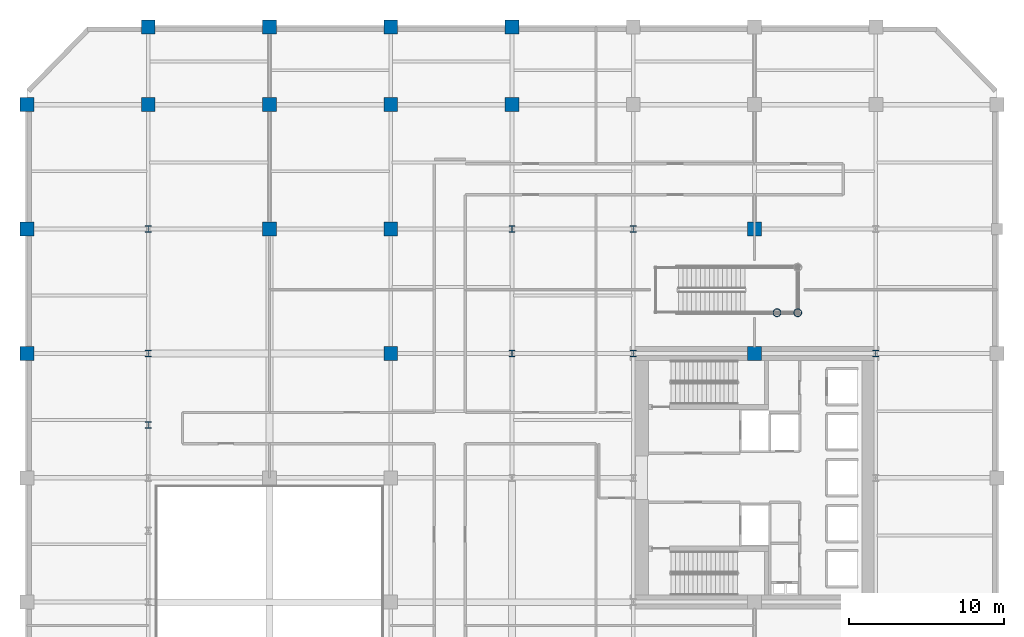
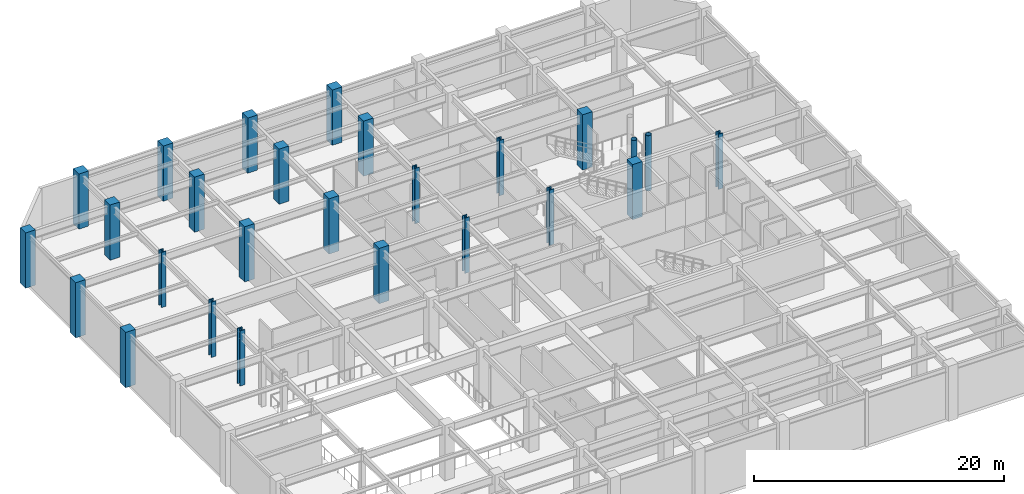
# One storey, part 4 of 13: 26 columns.
"""IFC4 building model written with IfcOpenShell, lengths in metres."""

from ifc_helpers import new_model, si_unit, direction, frame, origin, origin_2d, place, context, subcontext, project, spatial, rectangle, hollow_circle, i_section, extrude, material, material_profile, profile_set, type_object, element, save


model = new_model("IFC4")

# Units and contexts
model_context = context("Model", 3, precision=1e-05, world=origin(), true_north=direction((0.0, 1.0)))
body_context = subcontext(model_context, "Body", "Model", "MODEL_VIEW")
ifc_project = project(units=[si_unit("LENGTHUNIT", "METRE"), si_unit("AREAUNIT", "SQUARE_METRE"), si_unit("VOLUMEUNIT", "CUBIC_METRE"), si_unit("PLANEANGLEUNIT", "RADIAN"), si_unit("MASSUNIT", "GRAM", prefix="KILO")], contexts=[model_context])

# Site, building, storey
site_placement = place(None, origin())
site = spatial("IfcSite", under=ifc_project, at=site_placement, CompositionType="ELEMENT")
building_placement = place(site_placement, origin())
building = spatial("IfcBuilding", under=site, at=building_placement, Name="Veymaron Broadcast Tower", CompositionType="ELEMENT")
storey_placement = place(building_placement, frame((0.0, 0.0, 21.60009765625)))
storey = spatial("IfcBuildingStorey", under=building, at=storey_placement, Name="L04", CompositionType="ELEMENT", Elevation=21.60009765625)

# Columns
ifc_material_1 = material(Name="Structural steel ASTM A913 Gr 65", Category="steel")
ifc_material_profile_1 = material_profile(ifc_material_1, i_section(OverallWidth=0.424072265625, OverallDepth=0.47412109375, WebThickness=0.047607421875, FlangeThickness=0.076904296875, at=origin_2d()), Name="W360X634")
ifc_profile_set_1 = profile_set([ifc_material_profile_1], Name="Structural steel ASTM A913 Gr 65")
column_type_1 = type_object("IfcColumnType", Name="COL-MC1", PredefinedType="COLUMN", material=ifc_profile_set_1)
column_placement = place(storey_placement, frame((7.800048828125, 27.39990234375, 0.0), z_axis=(0.0, 0.0, 1.0), x_axis=(1.0, 0.0, 0.0)))
element("IfcColumn", 1, at=column_placement, inside=storey, type_object=column_type_1, Name="L04 Mega Column podium base", PredefinedType="COLUMN", context=body_context, shape_type="SweptSolid", body=[
    extrude(i_section(OverallWidth=0.424072265625, OverallDepth=0.47412109375, WebThickness=0.047607421875, FlangeThickness=0.076904296875, at=origin_2d()), origin(), (0.0, 0.0, 1.0), 5.393798828125),
])
ifc_material_profile_2 = material_profile(ifc_material_1, i_section(OverallWidth=0.41796875, OverallDepth=0.455078125, WebThickness=0.0419921875, FlangeThickness=0.067626953125, at=origin_2d()), Name="W360X551")
ifc_profile_set_2 = profile_set([ifc_material_profile_2], Name="Structural steel ASTM A913 Gr 65")
column_type_2 = type_object("IfcColumnType", Name="COL-MC2", PredefinedType="COLUMN", material=ifc_profile_set_2)
for number, where, z_axis, x_axis, name in (
    (2, (7.800048828125, 32.0, 0.0), (0.0, 0.0, 1.0), (1.0, 0.0, 0.0), "L04 column (7.8, 32.0)"),
    (3, (7.800048828125, 40.0, 0.0), (0.0, 0.0, 1.0), (1.0, 0.0, 0.0), "L04 column (7.8, 40.0)"),
    (4, (31.199951171875, 32.0, 0.0), (0.0, 0.0, 1.0), (1.0, 0.0, 0.0), "L04 column (31.2, 32.0)"),
    (5, (31.199951171875, 40.0, 0.0), (0.0, 0.0, 1.0), (1.0, 0.0, 0.0), "L04 column (31.2, 40.0)"),
    (6, (39.0, 32.0, 0.0), (0.0, 0.0, 1.0), (1.0, 0.0, 0.0), "L04 column (39.0, 32.0)"),
    (7, (39.0, 40.0, 0.0), (0.0, 0.0, 1.0), (1.0, 0.0, 0.0), "L04 column (39.0, 40.0)"),
    (8, (54.60009765625, 32.0, 0.0), (0.0, 0.0, 1.0), (1.0, 0.0, 0.0), "L04 column (54.6, 32.0)"),
):
    element("IfcColumn", number, at=place(storey_placement, frame(where, z_axis=z_axis, x_axis=x_axis)), inside=storey, type_object=column_type_2, Name=name, PredefinedType="COLUMN", context=body_context, shape_type="SweptSolid", body=[
        extrude(i_section(OverallWidth=0.41796875, OverallDepth=0.455078125, WebThickness=0.0419921875, FlangeThickness=0.067626953125, at=origin_2d()), origin(), (0.0, 0.0, 1.0), 5.39501953125),
    ])
ifc_material_2 = material(Name="Structural steel ASTM A992 Gr 50", Category="steel")
ifc_material_profile_3 = material_profile(ifc_material_2, hollow_circle(Radius=0.25390625, WallThickness=0.02001953125, at=origin_2d()), Name="CHS508X20")
ifc_profile_set_3 = profile_set([ifc_material_profile_3], Name="Structural steel ASTM A992 Gr 50")
column_type_3 = type_object("IfcColumnType", Name="COL-PL2", PredefinedType="COLUMN", material=ifc_profile_set_3)
for number, where, z_axis, x_axis, name in (
    (9, (48.25, 34.6201171875, 0.0), (0.0, 0.0, 1.0), (1.0, 0.0, 0.0), "L04 feature stair support column"),
    (10, (49.580078125, 34.6201171875, 0.0), (0.0, 0.0, 1.0), (1.0, 0.0, 0.0), "L04 feature stair support column"),
):
    element("IfcColumn", number, at=place(storey_placement, frame(where, z_axis=z_axis, x_axis=x_axis)), inside=storey, type_object=column_type_3, Name=name, PredefinedType="COLUMN", context=body_context, shape_type="SweptSolid", body=[
        extrude(hollow_circle(Radius=0.25390625, WallThickness=0.02001953125, at=origin_2d()), origin(), (0.0, 0.0, 1.0), 5.393798828125),
    ])
ifc_material_3 = material(Name="Concrete C50/60", Category="concrete")
ifc_material_profile_4 = material_profile(ifc_material_3, rectangle(XDim=0.89990234375, YDim=0.89990234375, at=origin_2d()), Name="RC900X900")
ifc_profile_set_4 = profile_set([ifc_material_profile_4], Name="Concrete C50/60")
column_type_4 = type_object("IfcColumnType", Name="COL-RC4", PredefinedType="COLUMN", material=ifc_profile_set_4)
for number, where, z_axis, x_axis, name in (
    (11, (0.0, 32.0, 0.0), (0.0, 0.0, 1.0), (1.0, 0.0, 0.0), "L04 column (0.0, 32.0)"),
    (12, (0.0, 40.0, 0.0), (0.0, 0.0, 1.0), (1.0, 0.0, 0.0), "L04 column (0.0, 40.0)"),
    (13, (0.0, 48.0, 0.0), (0.0, 0.0, 1.0), (1.0, 0.0, 0.0), "L04 column (0.0, 48.0)"),
    (14, (7.800048828125, 48.0, 0.0), (0.0, 0.0, 1.0), (1.0, 0.0, 0.0), "L04 column (7.8, 48.0)"),
    (15, (7.800048828125, 53.0, 0.0), (0.0, 0.0, 1.0), (1.0, 0.0, 0.0), "L04 column (7.8, 53.0)"),
    (16, (15.60009765625, 40.0, 0.0), (0.0, 0.0, 1.0), (1.0, 0.0, 0.0), "L04 column (15.6, 40.0)"),
    (17, (15.60009765625, 48.0, 0.0), (0.0, 0.0, 1.0), (1.0, 0.0, 0.0), "L04 column (15.6, 48.0)"),
    (18, (15.60009765625, 53.0, 0.0), (0.0, 0.0, 1.0), (1.0, 0.0, 0.0), "L04 column (15.6, 53.0)"),
    (19, (23.39990234375, 32.0, 0.0), (0.0, 0.0, 1.0), (1.0, 0.0, 0.0), "L04 column (23.4, 32.0)"),
    (20, (23.39990234375, 40.0, 0.0), (0.0, 0.0, 1.0), (1.0, 0.0, 0.0), "L04 column (23.4, 40.0)"),
    (21, (23.39990234375, 48.0, 0.0), (0.0, 0.0, 1.0), (1.0, 0.0, 0.0), "L04 column (23.4, 48.0)"),
    (22, (23.39990234375, 53.0, 0.0), (0.0, 0.0, 1.0), (1.0, 0.0, 0.0), "L04 column (23.4, 53.0)"),
    (23, (31.199951171875, 48.0, 0.0), (0.0, 0.0, 1.0), (1.0, 0.0, 0.0), "L04 column (31.2, 48.0)"),
    (24, (31.199951171875, 53.0, 0.0), (0.0, 0.0, 1.0), (1.0, 0.0, 0.0), "L04 column (31.2, 53.0)"),
    (25, (46.800048828125, 32.0, 0.0), (0.0, 0.0, 1.0), (1.0, 0.0, 0.0), "L04 column (46.8, 32.0)"),
    (26, (46.800048828125, 40.0, 0.0), (0.0, 0.0, 1.0), (1.0, 0.0, 0.0), "L04 column (46.8, 40.0)"),
):
    element("IfcColumn", number, at=place(storey_placement, frame(where, z_axis=z_axis, x_axis=x_axis)), inside=storey, type_object=column_type_4, Name=name, PredefinedType="COLUMN", context=body_context, shape_type="SweptSolid", body=[
        extrude(rectangle(XDim=0.89990234375, YDim=0.89990234375, at=origin_2d()), origin(), (0.0, 0.0, 1.0), 5.39501953125),
    ])

save(model, "model.ifc")
